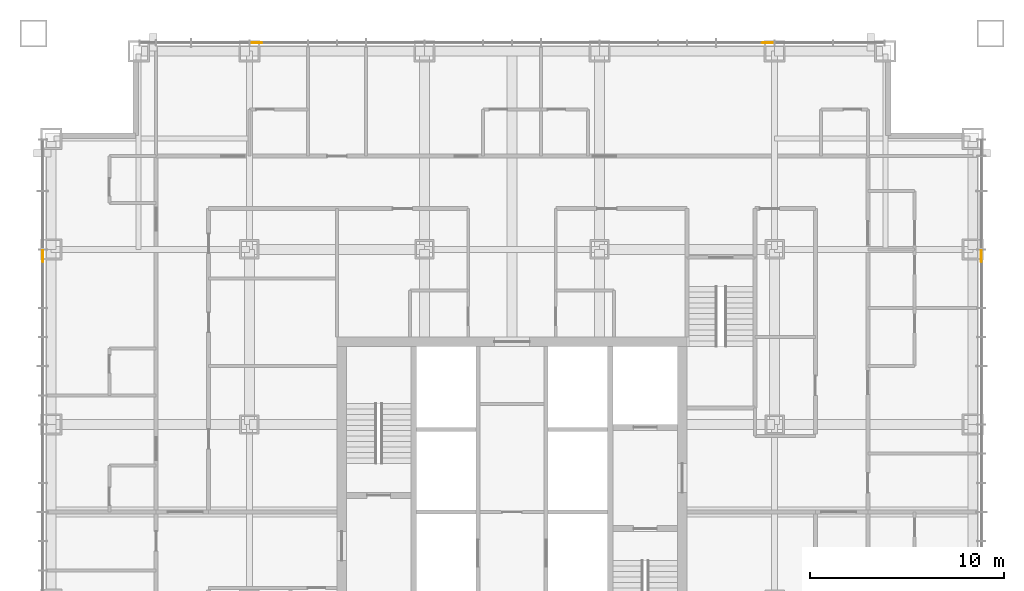
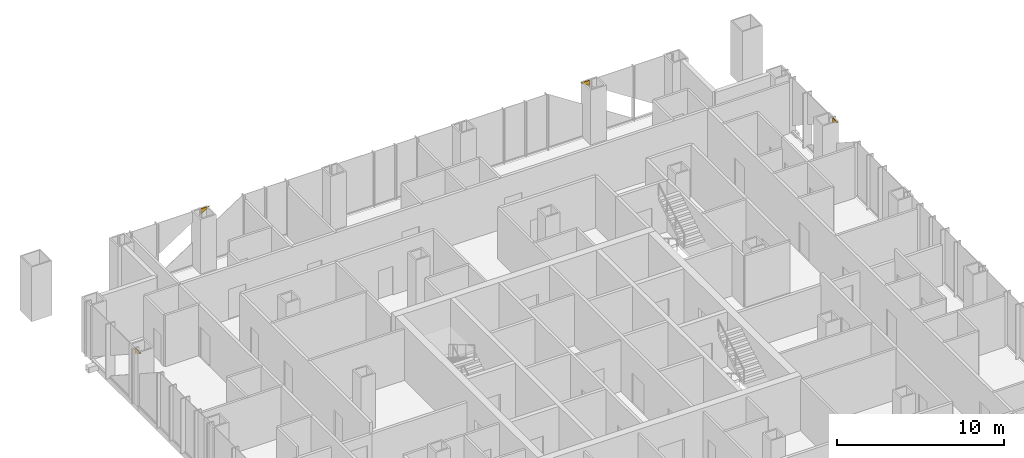
# One storey, part 16 of 16: 4 coverings.
"""IFC4 building model written with IfcOpenShell, lengths in metres."""

from ifc_helpers import new_model, si_unit, direction, frame, origin, place, context, subcontext, project, spatial, polyline, outline, extrude, material, layer, layer_set, type_object, element, save


model = new_model("IFC4")

# Units and contexts
model_context = context("Model", 3, precision=1e-05, world=origin(), true_north=direction((0.0, 1.0)))
body_context = subcontext(model_context, "Body", "Model", "MODEL_VIEW")
ifc_project = project(units=[si_unit("LENGTHUNIT", "METRE"), si_unit("AREAUNIT", "SQUARE_METRE"), si_unit("VOLUMEUNIT", "CUBIC_METRE"), si_unit("PLANEANGLEUNIT", "RADIAN"), si_unit("MASSUNIT", "GRAM", prefix="KILO")], contexts=[model_context])

# Site, building, storey
site_placement = place(None, origin())
site = spatial("IfcSite", under=ifc_project, at=site_placement, CompositionType="ELEMENT")
building_placement = place(site_placement, origin())
building = spatial("IfcBuilding", under=site, at=building_placement, Name="Malebo Sky Hospital", CompositionType="ELEMENT")
storey_placement = place(building_placement, frame((0.0, 0.0, 144.0)))
storey = spatial("IfcBuildingStorey", under=building, at=storey_placement, Name="L34", CompositionType="ELEMENT", Elevation=144.0)

# Coverings
ifc_material = material(Name="Anodised aluminium, natural silver insulated infill panel", Category="aluminium")
ifc_layer = layer(ifc_material, 0.0400390625)
ifc_layer_set = layer_set([ifc_layer], Name="BRACE INFILL PANEL 40")
covering_type = type_object("IfcCoveringType", Name="BRACE INFILL PANEL 40", PredefinedType="CLADDING", material=ifc_layer_set)
covering_1_placement = place(storey_placement, frame((46.844970703125, 86.135009765625, 3.590087890625), z_axis=(0.0, 0.0, 1.0), x_axis=(1.0, 0.0, 0.0)))
element("IfcCovering", 1, at=covering_1_placement, inside=storey, type_object=covering_type, Name="Brace infill panel 4.1", PredefinedType="CLADDING", context=body_context, shape_type="SweptSolid", body=[
    extrude(outline(polyline([(-0.307373046875, 0.0), (0.307373046875, 0.39990234375), (-0.307373046875, 0.39990234375), (-0.307373046875, 0.0)])), frame((0.0, 0.02001953125, 0.0), z_axis=(0.0, -1.0, 0.0), x_axis=(1.0, 0.0, 0.0)), (0.0, 0.0, 1.0), 0.0400390625),
])
for number, where, z_axis, x_axis, name in (
    (2, (73.155029296875, 86.135009765625, 3.590087890625), (0.0, 0.0, 1.0), (1.0, 0.0, 0.0), "Brace infill panel 15.1"),
    (3, (35.864990234375, 75.155029296875, 3.590087890625), (0.0, 0.0, 1.0), (0.0, 1.0, 0.0), "Brace infill panel 17.1"),
):
    element("IfcCovering", number, at=place(storey_placement, frame(where, z_axis=z_axis, x_axis=x_axis)), inside=storey, type_object=covering_type, Name=name, PredefinedType="CLADDING", context=body_context, shape_type="SweptSolid", body=[
        extrude(outline(polyline([(0.307373046875, 0.0), (0.307373046875, 0.39990234375), (-0.307373046875, 0.39990234375), (0.307373046875, 0.0)])), frame((0.0, 0.02001953125, 0.0), z_axis=(0.0, -1.0, 0.0), x_axis=(1.0, 0.0, 0.0)), (0.0, 0.0, 1.0), 0.0400390625),
    ])
covering_2_placement = place(storey_placement, frame((84.135009765625, 75.155029296875, 3.590087890625), z_axis=(0.0, 0.0, 1.0), x_axis=(0.0, -1.0, 0.0)))
element("IfcCovering", 4, at=covering_2_placement, inside=storey, type_object=covering_type, Name="Brace infill panel 4.1", PredefinedType="CLADDING", context=body_context, shape_type="SweptSolid", body=[
    extrude(outline(polyline([(-0.307373046875, 0.0), (0.307373046875, 0.39990234375), (-0.307373046875, 0.39990234375), (-0.307373046875, 0.0)])), frame((0.0, 0.02001953125, 0.0), z_axis=(0.0, -1.0, 0.0), x_axis=(1.0, 0.0, 0.0)), (0.0, 0.0, 1.0), 0.0400390625),
])

save(model, "model.ifc")
